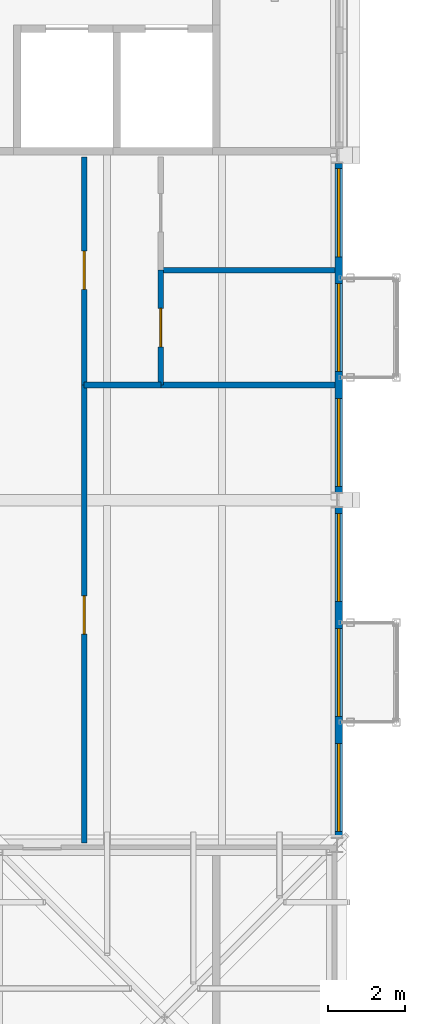
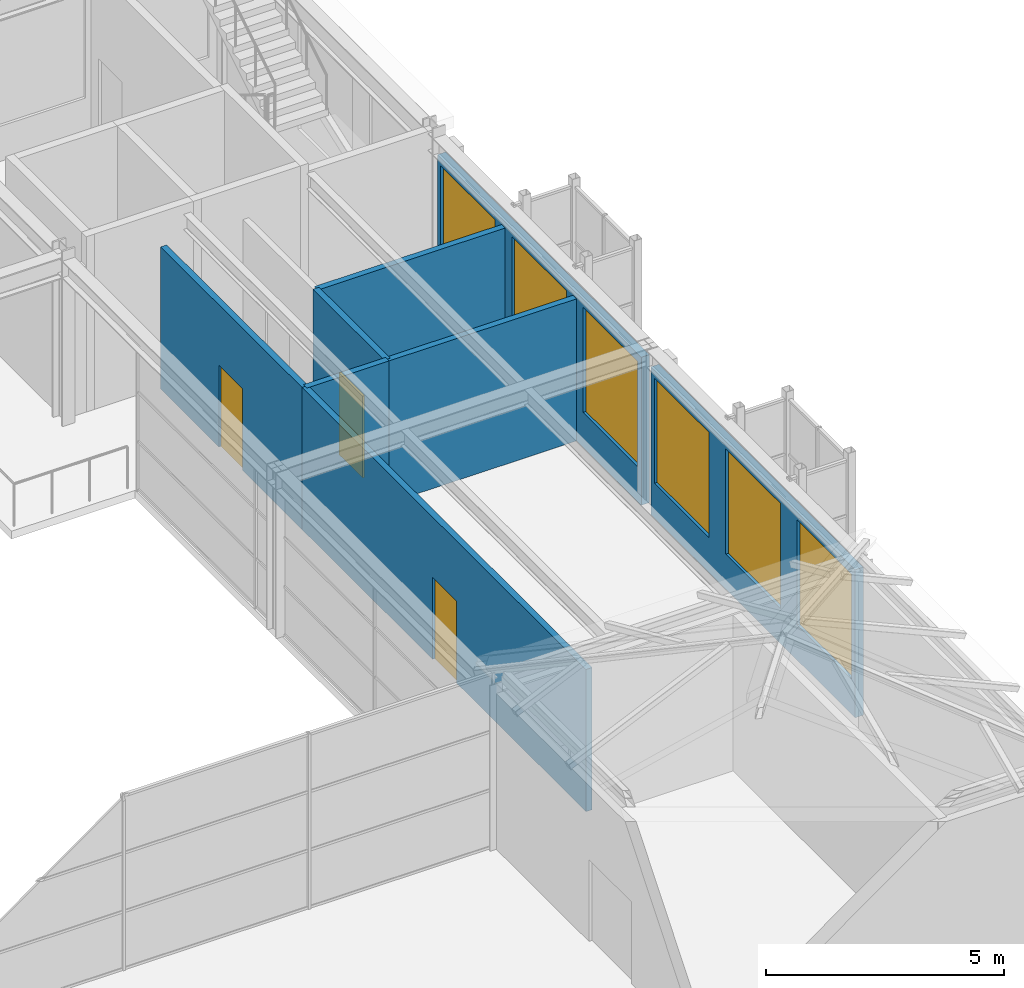
# One storey, part 92 of 149: 8 walls, 6 windows, 3 doors, 9 openings.
"""IFC4 building model written with IfcOpenShell, lengths in metres."""

from ifc_helpers import new_model, si_unit, direction, frame, frame_2d, origin, place, context, subcontext, project, spatial, rectangle, extrude, material, layer, layer_set, type_object, element, fill, save


model = new_model("IFC4")

# Units and contexts
model_context = context("Model", 3, precision=1e-05, world=origin(), true_north=direction((0.0, 1.0)))
body_context = subcontext(model_context, "Body", "Model", "MODEL_VIEW")
ifc_project = project(units=[si_unit("LENGTHUNIT", "METRE"), si_unit("AREAUNIT", "SQUARE_METRE"), si_unit("VOLUMEUNIT", "CUBIC_METRE"), si_unit("PLANEANGLEUNIT", "RADIAN"), si_unit("MASSUNIT", "GRAM", prefix="KILO")], contexts=[model_context])

# Site, building, storey
site_placement = place(None, origin())
site = spatial("IfcSite", under=ifc_project, at=site_placement, CompositionType="ELEMENT")
building_placement = place(site_placement, origin())
building = spatial("IfcBuilding", under=site, at=building_placement, Name="Kallimachos Central Library", CompositionType="ELEMENT")
storey_placement = place(building_placement, frame((0.0, 0.0, 9.89990234375)))
storey = spatial("IfcBuildingStorey", under=building, at=storey_placement, Name="L02", CompositionType="ELEMENT", Elevation=9.89990234375)

# Walls
ifc_material_1 = material(Name="Gypsum board on steel studs", Category="steel")
ifc_layer_1 = layer(ifc_material_1, 0.14990234375)
ifc_layer_set_1 = layer_set([ifc_layer_1], Name="Partition wall 150")
wall_type_1 = type_object("IfcWallType", Name="Partition wall 150", PredefinedType="PARTITIONING", material=ifc_layer_set_1)
wall_1_placement = place(storey_placement, frame((105.89990234375, 69.0, 0.0), z_axis=(0.0, 0.0, 1.0), x_axis=(1.0, 0.0, 0.0)))
element("IfcWall", 1, at=wall_1_placement, inside=storey, type_object=wall_type_1, Name="L02 partition", PredefinedType="PARTITIONING", context=body_context, shape_type="SweptSolid", body=[
    extrude(rectangle(XDim=4.550048828125, YDim=0.14990234375, at=frame_2d((2.27490234375, 0.0))), origin(), (0.0, 0.0, 1.0), 3.650146484375),
])
wall_2_placement = place(storey_placement, frame((103.89990234375, 69.0, 0.0), z_axis=(0.0, 0.0, 1.0), x_axis=(1.0, 0.0, 0.0)))
element("IfcWall", 2, at=wall_2_placement, inside=storey, type_object=wall_type_1, Name="L02 partition", PredefinedType="PARTITIONING", context=body_context, shape_type="SweptSolid", body=[
    extrude(rectangle(XDim=2.0, YDim=0.14990234375, at=frame_2d((1.0, 0.0))), origin(), (0.0, 0.0, 1.0), 3.650146484375),
])

# Wall, opening, door
wall_3_placement = place(storey_placement, frame((103.89990234375, 57.050048828125, 0.0), z_axis=(0.0, 0.0, 1.0), x_axis=(0.0, 1.0, 0.0)))
wall_3 = element("IfcWall", 3, at=wall_3_placement, inside=storey, type_object=wall_type_1, Name="L02 partition", PredefinedType="PARTITIONING", context=body_context, shape_type="SweptSolid", body=[
    extrude(rectangle(XDim=11.949951171875, YDim=0.14990234375, at=frame_2d((5.97509765625, 0.0))), origin(), (0.0, 0.0, 1.0), 3.650146484375),
])
opening_1_placement = place(wall_3_placement, frame((5.449951171875, 0.0, 0.0)))
opening_1 = element("IfcOpeningElement", 4, at=opening_1_placement, cuts=wall_3, Name="Opening D203", PredefinedType="OPENING", context=body_context, shape_type="SweptSolid", body=[
    extrude(rectangle(XDim=1.0, YDim=2.10009765625, at=frame_2d((0.5, 1.050048828125))), frame((0.0, 0.0849609375, 0.0), z_axis=(0.0, -1.0, 0.0), x_axis=(1.0, 0.0, 0.0)), (0.0, 0.0, 1.0), 0.169921875),
])
ifc_material_2 = material(Name="Timber", Category="wood")
door_type = type_object("IfcDoorType", Name="Single leaf door 1000 x 2100, EI2 30", OperationType="NOTDEFINED", PredefinedType="DOOR", material=ifc_material_2)
door_1_placement = place(opening_1_placement, origin())
door_1 = element("IfcDoor", 5, at=door_1_placement, inside=storey, type_object=door_type, Name="L02 door Study Carrels 2", OperationType="SINGLE_SWING_RIGHT", OverallHeight=2.10009765625, OverallWidth=1.0, PredefinedType="DOOR", context=body_context, shape_type="SweptSolid", body=[
    extrude(rectangle(XDim=1.0, YDim=2.10009765625, at=frame_2d((0.5, 1.050048828125))), frame((0.0, 0.02490234375, 0.0), z_axis=(0.0, -1.0, 0.0), x_axis=(1.0, 0.0, 0.0)), (0.0, 0.0, 1.0), 0.050048828125),
])
fill(opening_1, door_1)

wall_4_placement = place(storey_placement, frame((105.89990234375, 69.0, 0.0), z_axis=(0.0, 0.0, 1.0), x_axis=(0.0, 1.0, 0.0)))
wall_4 = element("IfcWall", 6, at=wall_4_placement, inside=storey, type_object=wall_type_1, Name="L02 partition", PredefinedType="PARTITIONING", context=body_context, shape_type="SweptSolid", body=[
    extrude(rectangle(XDim=3.0, YDim=0.14990234375, at=frame_2d((1.5, 0.0))), origin(), (0.0, 0.0, 1.0), 3.650146484375),
])
opening_2_placement = place(wall_4_placement, frame((1.0, 0.0, 0.0)))
opening_2 = element("IfcOpeningElement", 7, at=opening_2_placement, cuts=wall_4, Name="Opening D205", PredefinedType="OPENING", context=body_context, shape_type="SweptSolid", body=[
    extrude(rectangle(XDim=1.0, YDim=2.10009765625, at=frame_2d((0.5, 1.050048828125))), frame((0.0, 0.0849609375, 0.0), z_axis=(0.0, -1.0, 0.0), x_axis=(1.0, 0.0, 0.0)), (0.0, 0.0, 1.0), 0.169921875),
])
door_2_placement = place(opening_2_placement, origin())
door_2 = element("IfcDoor", 8, at=door_2_placement, inside=storey, type_object=door_type, Name="L02 door Men's WC", OperationType="SINGLE_SWING_RIGHT", OverallHeight=2.10009765625, OverallWidth=1.0, PredefinedType="DOOR", context=body_context, shape_type="SweptSolid", body=[
    extrude(rectangle(XDim=1.0, YDim=2.10009765625, at=frame_2d((0.5, 1.050048828125))), frame((0.0, 0.02490234375, 0.0), z_axis=(0.0, -1.0, 0.0), x_axis=(1.0, 0.0, 0.0)), (0.0, 0.0, 1.0), 0.050048828125),
])
fill(opening_2, door_2)

wall_5_placement = place(storey_placement, frame((103.89990234375, 69.0, 0.0), z_axis=(0.0, 0.0, 1.0), x_axis=(0.0, 1.0, 0.0)))
wall_5 = element("IfcWall", 9, at=wall_5_placement, inside=storey, type_object=wall_type_1, Name="L02 partition", PredefinedType="PARTITIONING", context=body_context, shape_type="SweptSolid", body=[
    extrude(rectangle(XDim=5.949951171875, YDim=0.14990234375, at=frame_2d((2.97509765625, 0.0))), origin(), (0.0, 0.0, 1.0), 3.650146484375),
])
opening_3_placement = place(wall_5_placement, frame((2.5, 0.0, 0.0)))
opening_3 = element("IfcOpeningElement", 10, at=opening_3_placement, cuts=wall_5, Name="Opening D204", PredefinedType="OPENING", context=body_context, shape_type="SweptSolid", body=[
    extrude(rectangle(XDim=1.0, YDim=2.10009765625, at=frame_2d((0.5, 1.050048828125))), frame((0.0, 0.0849609375, 0.0), z_axis=(0.0, -1.0, 0.0), x_axis=(1.0, 0.0, 0.0)), (0.0, 0.0, 1.0), 0.169921875),
])
door_3_placement = place(opening_3_placement, frame((1.0, 0.0, 0.0), z_axis=(0.0, 0.0, 1.0), x_axis=(-1.0, 0.0, 0.0)))
door_3 = element("IfcDoor", 11, at=door_3_placement, inside=storey, type_object=door_type, Name="L02 door WC Lobby", OperationType="SINGLE_SWING_LEFT", OverallHeight=2.10009765625, OverallWidth=1.0, PredefinedType="DOOR", context=body_context, shape_type="SweptSolid", body=[
    extrude(rectangle(XDim=1.0, YDim=2.10009765625, at=frame_2d((0.5, 1.050048828125))), frame((0.0, 0.02490234375, 0.0), z_axis=(0.0, -1.0, 0.0), x_axis=(1.0, 0.0, 0.0)), (0.0, 0.0, 1.0), 0.050048828125),
])
fill(opening_3, door_3)

# Wall
wall_6_placement = place(storey_placement, frame((105.89990234375, 72.0, 0.0), z_axis=(0.0, 0.0, 1.0), x_axis=(1.0, 0.0, 0.0)))
element("IfcWall", 12, at=wall_6_placement, inside=storey, type_object=wall_type_1, Name="L02 partition", PredefinedType="PARTITIONING", context=body_context, shape_type="SweptSolid", body=[
    extrude(rectangle(XDim=4.550048828125, YDim=0.14990234375, at=frame_2d((2.27490234375, 0.0))), origin(), (0.0, 0.0, 1.0), 3.650146484375),
])

# Wall, openings, windows
ifc_material_3 = material(Name="Brick masonry with Pentelic marble cladding", Category="masonry")
ifc_layer_2 = layer(ifc_material_3, 0.199951171875)
ifc_layer_set_2 = layer_set([ifc_layer_2], Name="Stone-clad masonry wall 200")
wall_type_2 = type_object("IfcWallType", Name="Stone-clad masonry wall 200", PredefinedType="SOLIDWALL", material=ifc_layer_set_2)
wall_7_placement = place(storey_placement, frame((110.550048828125, 57.199951171875, 0.0), z_axis=(0.0, 0.0, 1.0), x_axis=(0.0, 1.0, 0.0)))
wall_7 = element("IfcWall", 13, at=wall_7_placement, inside=storey, type_object=wall_type_2, Name="V4-WAL-L02-023", PredefinedType="SOLIDWALL", context=body_context, shape_type="SweptSolid", body=[
    extrude(rectangle(XDim=8.60009765625, YDim=0.199951171875, at=frame_2d((4.300048828125, 0.0))), origin(), (0.0, 0.0, 1.0), 3.800048828125),
])
opening_4_placement = place(wall_7_placement, frame((0.14990234375, 0.0, 0.89990234375)))
opening_4 = element("IfcOpeningElement", 14, at=opening_4_placement, cuts=wall_7, Name="Opening WN161", PredefinedType="OPENING", context=body_context, shape_type="SweptSolid", body=[
    extrude(rectangle(XDim=2.300048828125, YDim=2.699951171875, at=frame_2d((1.14990234375, 1.35009765625))), frame((0.0, 0.10986328125, 0.0), z_axis=(0.0, -1.0, 0.0), x_axis=(1.0, 0.0, 0.0)), (0.0, 0.0, 1.0), 0.219970703125),
])
opening_5_placement = place(wall_7_placement, frame((3.14990234375, 0.0, 0.89990234375)))
opening_5 = element("IfcOpeningElement", 15, at=opening_5_placement, cuts=wall_7, Name="Opening WN161", PredefinedType="OPENING", context=body_context, shape_type="SweptSolid", body=[
    extrude(rectangle(XDim=2.300048828125, YDim=2.699951171875, at=frame_2d((1.14990234375, 1.35009765625))), frame((0.0, 0.10986328125, 0.0), z_axis=(0.0, -1.0, 0.0), x_axis=(1.0, 0.0, 0.0)), (0.0, 0.0, 1.0), 0.219970703125),
])
opening_6_placement = place(wall_7_placement, frame((6.14990234375, 0.0, 0.89990234375)))
opening_6 = element("IfcOpeningElement", 16, at=opening_6_placement, cuts=wall_7, Name="Opening WN161", PredefinedType="OPENING", context=body_context, shape_type="SweptSolid", body=[
    extrude(rectangle(XDim=2.300048828125, YDim=2.699951171875, at=frame_2d((1.14990234375, 1.35009765625))), frame((0.0, 0.10986328125, 0.0), z_axis=(0.0, -1.0, 0.0), x_axis=(1.0, 0.0, 0.0)), (0.0, 0.0, 1.0), 0.219970703125),
])
ifc_material_4 = material(Name="Anodised aluminium and laminated glass", Category="aluminium")
window_type = type_object("IfcWindowType", Name="Window 2300 x 2700", PartitioningType="DOUBLE_PANEL_VERTICAL", PredefinedType="WINDOW", material=ifc_material_4)
window_1_placement = place(opening_4_placement, origin())
window_1 = element("IfcWindow", 17, at=window_1_placement, inside=storey, type_object=window_type, Name="V4-WIN-L02-023", OverallHeight=2.699951171875, OverallWidth=2.300048828125, PartitioningType="SINGLE_PANEL", PredefinedType="WINDOW", context=body_context, shape_type="SweptSolid", body=[
    extrude(rectangle(XDim=2.300048828125, YDim=2.699951171875, at=frame_2d((1.14990234375, 1.35009765625))), frame((0.0, 0.030029296875, 0.0), z_axis=(0.0, -1.0, 0.0), x_axis=(1.0, 0.0, 0.0)), (0.0, 0.0, 1.0), 0.06005859375),
])
fill(opening_4, window_1)
window_2_placement = place(opening_5_placement, origin())
window_2 = element("IfcWindow", 18, at=window_2_placement, inside=storey, type_object=window_type, Name="V4-WIN-L02-024", OverallHeight=2.699951171875, OverallWidth=2.300048828125, PartitioningType="SINGLE_PANEL", PredefinedType="WINDOW", context=body_context, shape_type="SweptSolid", body=[
    extrude(rectangle(XDim=2.300048828125, YDim=2.699951171875, at=frame_2d((1.14990234375, 1.35009765625))), frame((0.0, 0.030029296875, 0.0), z_axis=(0.0, -1.0, 0.0), x_axis=(1.0, 0.0, 0.0)), (0.0, 0.0, 1.0), 0.06005859375),
])
fill(opening_5, window_2)
window_3_placement = place(opening_6_placement, origin())
window_3 = element("IfcWindow", 19, at=window_3_placement, inside=storey, type_object=window_type, Name="V4-WIN-L02-025", OverallHeight=2.699951171875, OverallWidth=2.300048828125, PartitioningType="SINGLE_PANEL", PredefinedType="WINDOW", context=body_context, shape_type="SweptSolid", body=[
    extrude(rectangle(XDim=2.300048828125, YDim=2.699951171875, at=frame_2d((1.14990234375, 1.35009765625))), frame((0.0, 0.030029296875, 0.0), z_axis=(0.0, -1.0, 0.0), x_axis=(1.0, 0.0, 0.0)), (0.0, 0.0, 1.0), 0.06005859375),
])
fill(opening_6, window_3)

wall_8_placement = place(storey_placement, frame((110.550048828125, 66.199951171875, 0.0), z_axis=(0.0, 0.0, 1.0), x_axis=(0.0, 1.0, 0.0)))
wall_8 = element("IfcWall", 20, at=wall_8_placement, inside=storey, type_object=wall_type_2, Name="V4-WAL-L02-024", PredefinedType="SOLIDWALL", context=body_context, shape_type="SweptSolid", body=[
    extrude(rectangle(XDim=8.583984375, YDim=0.199951171875, at=frame_2d((4.2919921875, 0.0))), origin(), (0.0, 0.0, 1.0), 3.800048828125),
])
opening_7_placement = place(wall_8_placement, frame((0.14990234375, 0.0, 0.89990234375)))
opening_7 = element("IfcOpeningElement", 21, at=opening_7_placement, cuts=wall_8, Name="Opening WN161", PredefinedType="OPENING", context=body_context, shape_type="SweptSolid", body=[
    extrude(rectangle(XDim=2.300048828125, YDim=2.699951171875, at=frame_2d((1.14990234375, 1.35009765625))), frame((0.0, 0.10986328125, 0.0), z_axis=(0.0, -1.0, 0.0), x_axis=(1.0, 0.0, 0.0)), (0.0, 0.0, 1.0), 0.219970703125),
])
opening_8_placement = place(wall_8_placement, frame((3.14990234375, 0.0, 0.89990234375)))
opening_8 = element("IfcOpeningElement", 22, at=opening_8_placement, cuts=wall_8, Name="Opening WN161", PredefinedType="OPENING", context=body_context, shape_type="SweptSolid", body=[
    extrude(rectangle(XDim=2.300048828125, YDim=2.699951171875, at=frame_2d((1.14990234375, 1.35009765625))), frame((0.0, 0.10986328125, 0.0), z_axis=(0.0, -1.0, 0.0), x_axis=(1.0, 0.0, 0.0)), (0.0, 0.0, 1.0), 0.219970703125),
])
opening_9_placement = place(wall_8_placement, frame((6.14990234375, 0.0, 0.89990234375)))
opening_9 = element("IfcOpeningElement", 23, at=opening_9_placement, cuts=wall_8, Name="Opening WN161", PredefinedType="OPENING", context=body_context, shape_type="SweptSolid", body=[
    extrude(rectangle(XDim=2.300048828125, YDim=2.699951171875, at=frame_2d((1.14990234375, 1.35009765625))), frame((0.0, 0.10986328125, 0.0), z_axis=(0.0, -1.0, 0.0), x_axis=(1.0, 0.0, 0.0)), (0.0, 0.0, 1.0), 0.219970703125),
])
window_4_placement = place(opening_7_placement, origin())
window_4 = element("IfcWindow", 24, at=window_4_placement, inside=storey, type_object=window_type, Name="V4-WIN-L02-026", OverallHeight=2.699951171875, OverallWidth=2.300048828125, PartitioningType="SINGLE_PANEL", PredefinedType="WINDOW", context=body_context, shape_type="SweptSolid", body=[
    extrude(rectangle(XDim=2.300048828125, YDim=2.699951171875, at=frame_2d((1.14990234375, 1.35009765625))), frame((0.0, 0.030029296875, 0.0), z_axis=(0.0, -1.0, 0.0), x_axis=(1.0, 0.0, 0.0)), (0.0, 0.0, 1.0), 0.06005859375),
])
fill(opening_7, window_4)
window_5_placement = place(opening_8_placement, origin())
window_5 = element("IfcWindow", 25, at=window_5_placement, inside=storey, type_object=window_type, Name="V4-WIN-L02-027", OverallHeight=2.699951171875, OverallWidth=2.300048828125, PartitioningType="SINGLE_PANEL", PredefinedType="WINDOW", context=body_context, shape_type="SweptSolid", body=[
    extrude(rectangle(XDim=2.300048828125, YDim=2.699951171875, at=frame_2d((1.14990234375, 1.35009765625))), frame((0.0, 0.030029296875, 0.0), z_axis=(0.0, -1.0, 0.0), x_axis=(1.0, 0.0, 0.0)), (0.0, 0.0, 1.0), 0.06005859375),
])
fill(opening_8, window_5)
window_6_placement = place(opening_9_placement, origin())
window_6 = element("IfcWindow", 26, at=window_6_placement, inside=storey, type_object=window_type, Name="V4-WIN-L02-028", OverallHeight=2.699951171875, OverallWidth=2.300048828125, PartitioningType="SINGLE_PANEL", PredefinedType="WINDOW", context=body_context, shape_type="SweptSolid", body=[
    extrude(rectangle(XDim=2.300048828125, YDim=2.699951171875, at=frame_2d((1.14990234375, 1.35009765625))), frame((0.0, 0.030029296875, 0.0), z_axis=(0.0, -1.0, 0.0), x_axis=(1.0, 0.0, 0.0)), (0.0, 0.0, 1.0), 0.06005859375),
])
fill(opening_9, window_6)

save(model, "model.ifc")
